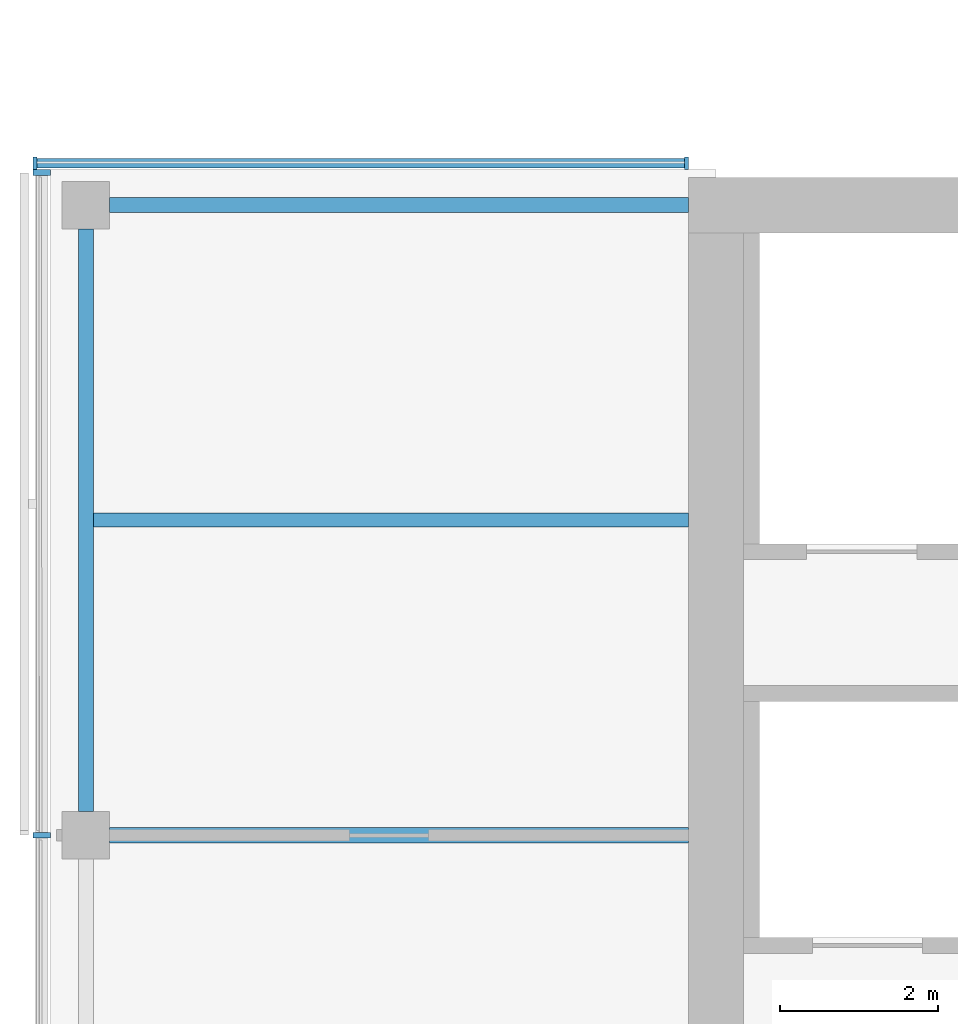
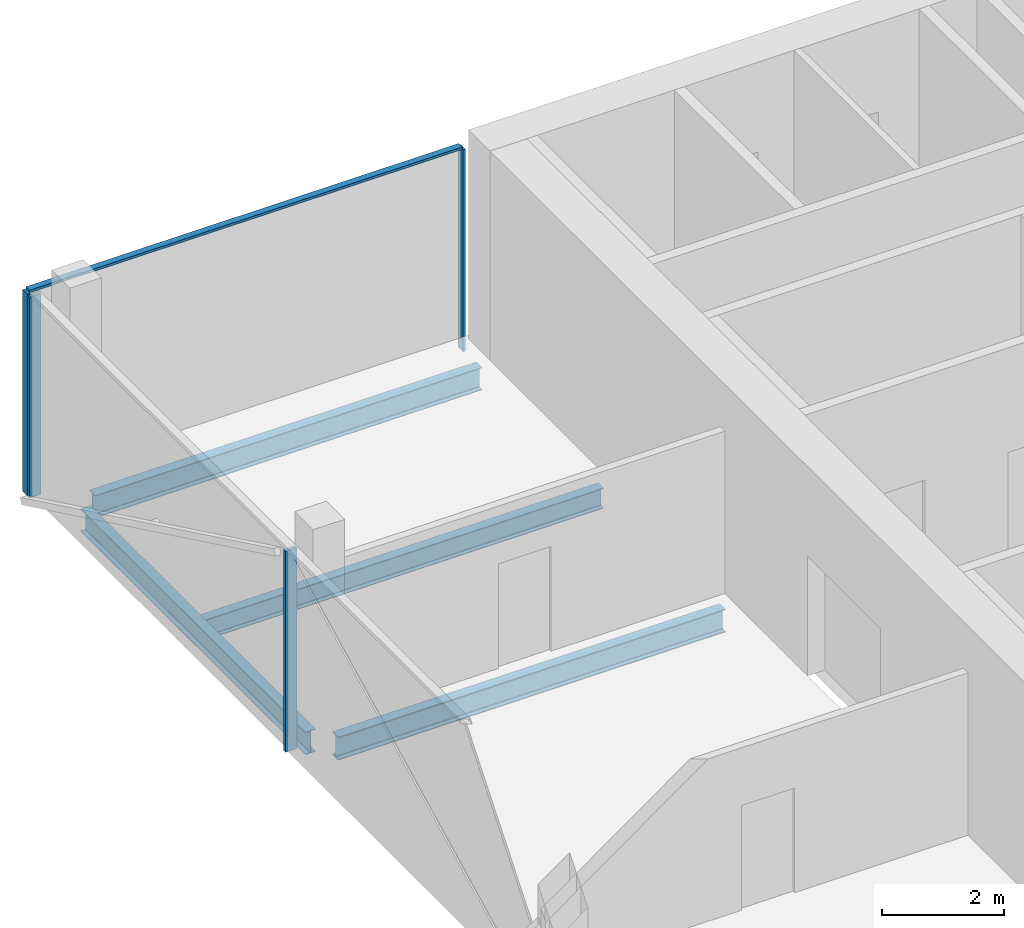
# One storey, part 7 of 22: 5 members, 4 beams, 2 elements without a shape of their own.
"""IFC4 building model written with IfcOpenShell, lengths in metres."""

from ifc_helpers import new_model, si_unit, direction, frame, origin, origin_2d, place, context, subcontext, project, spatial, rectangle, i_section, extrude, material, material_profile, profile_set, type_object, element, aggregate, save


model = new_model("IFC4")

# Units and contexts
model_context = context("Model", 3, precision=1e-05, world=origin(), true_north=direction((0.0, 1.0)))
body_context = subcontext(model_context, "Body", "Model", "MODEL_VIEW")
ifc_project = project(units=[si_unit("LENGTHUNIT", "METRE"), si_unit("AREAUNIT", "SQUARE_METRE"), si_unit("VOLUMEUNIT", "CUBIC_METRE"), si_unit("PLANEANGLEUNIT", "RADIAN"), si_unit("MASSUNIT", "GRAM", prefix="KILO")], contexts=[model_context])

# Site, building, storey
site_placement = place(None, origin())
site = spatial("IfcSite", under=ifc_project, at=site_placement, CompositionType="ELEMENT")
building_placement = place(site_placement, origin())
building = spatial("IfcBuilding", under=site, at=building_placement, Name="Crosswind Convention Tower", CompositionType="ELEMENT")
storey_placement = place(building_placement, frame((0.0, 0.0, 167.300048828125)))
storey = spatial("IfcBuildingStorey", under=building, at=storey_placement, Name="L35", CompositionType="ELEMENT", Elevation=167.300048828125)

# Beams
ifc_material_1 = material(Name="Steel S355", Category="steel")
ifc_material_profile_1 = material_profile(ifc_material_1, i_section(OverallWidth=0.18994140625, OverallDepth=0.45361328125, WebThickness=0.008544921875, FlangeThickness=0.0126953125, FilletRadius=0.01025390625, at=origin_2d()), Name="UB 457x191x67")
ifc_profile_set_1 = profile_set([ifc_material_profile_1], Name="Steel S355")
beam_type_1 = type_object("IfcBeamType", Name="Edge beam UB 457x191x67", PredefinedType="SPANDREL", material=ifc_profile_set_1)
beam_1_placement = place(storey_placement, frame((89.0, 104.300048828125, -0.52685546875), z_axis=(0.0, 1.0, 0.0), x_axis=(-1.0, 0.0, 0.0)))
element("IfcBeam", 1, at=beam_1_placement, inside=storey, type_object=beam_type_1, Name="B16 L35 edge beam 3", PredefinedType="SPANDREL", context=body_context, shape_type="SweptSolid", body=[
    extrude(i_section(OverallWidth=0.18994140625, OverallDepth=0.45361328125, WebThickness=0.008544921875, FlangeThickness=0.0126953125, FilletRadius=0.01025390625, at=origin_2d()), origin(), (0.0, 0.0, 1.0), 7.39990234375),
])
beam_2_placement = place(storey_placement, frame((89.300048828125, 112.0, -0.52685546875), z_axis=(1.0, 0.0, 0.0), x_axis=(0.0, 1.0, 0.0)))
element("IfcBeam", 2, at=beam_2_placement, inside=storey, type_object=beam_type_1, Name="B16 L35 edge beam 5", PredefinedType="SPANDREL", context=body_context, shape_type="SweptSolid", body=[
    extrude(i_section(OverallWidth=0.18994140625, OverallDepth=0.45361328125, WebThickness=0.008544921875, FlangeThickness=0.0126953125, FilletRadius=0.01025390625, at=origin_2d()), origin(), (0.0, 0.0, 1.0), 7.349853515625),
])
ifc_material_profile_2 = material_profile(ifc_material_1, i_section(OverallWidth=0.19189453125, OverallDepth=0.463623046875, WebThickness=0.010498046875, FlangeThickness=0.017578125, FilletRadius=0.01025390625, at=origin_2d()), Name="UB 457x191x90")
ifc_profile_set_2 = profile_set([ifc_material_profile_2], Name="Steel S355")
beam_type_2 = type_object("IfcBeamType", Name="Girder at core wall UB 457x191x90", PredefinedType="BEAM", material=ifc_profile_set_2)
beam_3_placement = place(storey_placement, frame((89.300048828125, 104.0, -0.53173828125), z_axis=(1.0, 0.0, 0.0), x_axis=(0.0, 1.0, 0.0)))
element("IfcBeam", 3, at=beam_3_placement, inside=storey, type_object=beam_type_2, Name="B24 L35 girder at core wall 2", PredefinedType="BEAM", context=body_context, shape_type="SweptSolid", body=[
    extrude(i_section(OverallWidth=0.19189453125, OverallDepth=0.463623046875, WebThickness=0.010498046875, FlangeThickness=0.017578125, FilletRadius=0.01025390625, at=origin_2d()), origin(), (0.0, 0.0, 1.0), 7.349853515625),
])

# Curtain wall, members
ifc_material_2 = material(Name="Aluminium unitised curtain wall", Category="aluminium")
curtain_wall_type_1 = type_object("IfcCurtainWallType", Name="CORE END SLOT WALL 160", PredefinedType="USERDEFINED", material=ifc_material_2)
curtain_wall_1_placement = place(storey_placement, origin())
curtain_wall_1 = element("IfcCurtainWall", 4, at=curtain_wall_1_placement, inside=storey, type_object=curtain_wall_type_1, Name="CW6 L35 W-N.2-1 slot", ObjectType="UNITISED", PredefinedType="USERDEFINED")
ifc_material_3 = material(Name="Aluminium mullion", Category="aluminium")
ifc_material_profile_3 = material_profile(ifc_material_3, rectangle(XDim=0.159912109375, YDim=0.050048828125, at=origin_2d()), Name="AL 160X50")
ifc_profile_set_3 = profile_set([ifc_material_profile_3], Name="Aluminium mullion")
member_type_1 = type_object("IfcMemberType", Name="MULLION 50X160", PredefinedType="MULLION", material=ifc_profile_set_3)
member_1_placement = place(storey_placement, frame((96.625, 112.530029296875, -0.300048828125), z_axis=(0.0, 0.0, 1.0), x_axis=(0.0, 1.0, 0.0)))
member_1 = element("IfcMember", 5, at=member_1_placement, type_object=member_type_1, Name="CW6 mullion 1", PredefinedType="MULLION", context=body_context, shape_type="SweptSolid", body=[
    extrude(rectangle(XDim=0.159912109375, YDim=0.050048828125, at=origin_2d()), origin(), (0.0, 0.0, 1.0), 4.050048828125),
])
member_2_placement = place(storey_placement, frame((88.35498046875, 112.530029296875, -0.300048828125), z_axis=(0.0, 0.0, 1.0), x_axis=(0.0, 1.0, 0.0)))
member_2 = element("IfcMember", 6, at=member_2_placement, type_object=member_type_1, Name="CW6 mullion 2", PredefinedType="MULLION", context=body_context, shape_type="SweptSolid", body=[
    extrude(rectangle(XDim=0.159912109375, YDim=0.050048828125, at=origin_2d()), origin(), (0.0, 0.0, 1.0), 4.050048828125),
])

curtain_wall_type_2 = type_object("IfcCurtainWallType", Name="OFFICE UNITISED WALL 220", PredefinedType="USERDEFINED", material=ifc_material_2)
curtain_wall_2_placement = place(storey_placement, origin())
curtain_wall_2 = element("IfcCurtainWall", 7, at=curtain_wall_2_placement, inside=storey, type_object=curtain_wall_type_2, Name="CW3 L35 W-TIP 1", ObjectType="UNITISED", PredefinedType="USERDEFINED")
ifc_material_profile_4 = material_profile(ifc_material_3, rectangle(XDim=0.219970703125, YDim=0.070068359375, at=origin_2d()), Name="AL 220X70")
ifc_profile_set_4 = profile_set([ifc_material_profile_4], Name="Aluminium mullion")
member_type_2 = type_object("IfcMemberType", Name="MULLION 70X220", PredefinedType="MULLION", material=ifc_profile_set_4)
member_3_placement = place(storey_placement, frame((88.43994140625, 112.4150390625, -0.300048828125), z_axis=(0.0, 0.0, 1.0), x_axis=(-1.0, 0.0, 0.0)))
member_3 = element("IfcMember", 8, at=member_3_placement, type_object=member_type_2, Name="CW3 mullion 1", PredefinedType="MULLION", context=body_context, shape_type="SweptSolid", body=[
    extrude(rectangle(XDim=0.219970703125, YDim=0.070068359375, at=origin_2d()), origin(), (0.0, 0.0, 1.0), 4.030029296875),
])
member_4_placement = place(storey_placement, frame((88.43994140625, 104.0, -0.300048828125), z_axis=(0.0, 0.0, 1.0), x_axis=(-1.0, 0.0, 0.0)))
member_4 = element("IfcMember", 9, at=member_4_placement, type_object=member_type_2, Name="CW3 mullion 2", PredefinedType="MULLION", context=body_context, shape_type="SweptSolid", body=[
    extrude(rectangle(XDim=0.219970703125, YDim=0.070068359375, at=origin_2d()), origin(), (0.0, 0.0, 1.0), 4.030029296875),
])
aggregate(curtain_wall_2, [member_3, member_4])

# Beam
ifc_material_profile_5 = material_profile(ifc_material_1, i_section(OverallWidth=0.177734375, OverallDepth=0.406494140625, WebThickness=0.0078125, FlangeThickness=0.0126953125, FilletRadius=0.01025390625, at=origin_2d()), Name="UB 406x178x60")
ifc_profile_set_5 = profile_set([ifc_material_profile_5], Name="Steel S355")
beam_type_3 = type_object("IfcBeamType", Name="Secondary beam UB 406x178x60", PredefinedType="JOIST", material=ifc_profile_set_5)
beam_4_placement = place(storey_placement, frame((89.094970703125, 108.0, -0.503173828125), z_axis=(1.0, 0.0, 0.0), x_axis=(0.0, 1.0, 0.0)))
element("IfcBeam", 10, at=beam_4_placement, inside=storey, type_object=beam_type_3, Name="B10 L35 secondary beam 3", PredefinedType="JOIST", context=body_context, shape_type="SweptSolid", body=[
    extrude(i_section(OverallWidth=0.177734375, OverallDepth=0.406494140625, WebThickness=0.0078125, FlangeThickness=0.0126953125, FilletRadius=0.01025390625, at=origin_2d()), origin(), (0.0, 0.0, 1.0), 7.554931640625),
])

# Member
ifc_material_4 = material(Name="Aluminium transom", Category="aluminium")
ifc_material_profile_6 = material_profile(ifc_material_4, rectangle(XDim=0.1201171875, YDim=0.050048828125, at=origin_2d()), Name="AL 120X50")
ifc_profile_set_6 = profile_set([ifc_material_profile_6], Name="Aluminium transom")
member_type_3 = type_object("IfcMemberType", Name="TRANSOM 50X120", PredefinedType="USERDEFINED", material=ifc_profile_set_6)
member_5_placement = place(storey_placement, frame((96.60009765625, 112.530029296875, 3.77490234375), z_axis=(-1.0, 0.0, 0.0), x_axis=(0.0, -1.0, 0.0)))
member_5 = element("IfcMember", 11, at=member_5_placement, type_object=member_type_3, Name="CW6 transom", ObjectType="TRANSOM", PredefinedType="USERDEFINED", context=body_context, shape_type="SweptSolid", body=[
    extrude(rectangle(XDim=0.1201171875, YDim=0.050048828125, at=origin_2d()), origin(), (0.0, 0.0, 1.0), 8.22021484375),
])

aggregate(curtain_wall_1, [member_1, member_2, member_5])

save(model, "model.ifc")
